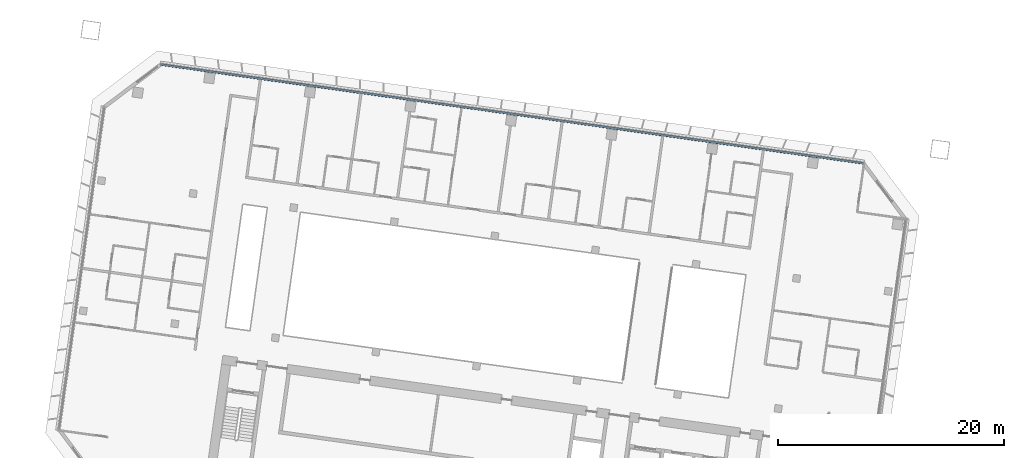
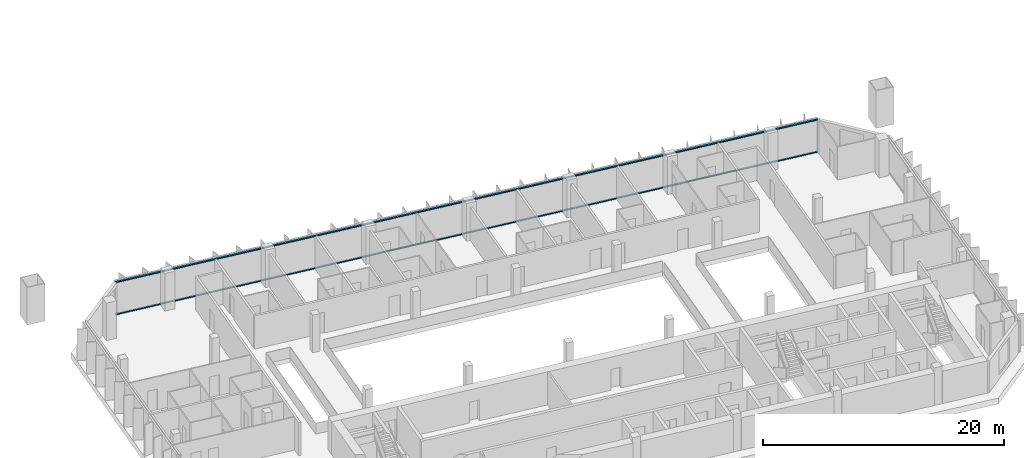
# One storey, part 4 of 24: 2 members, 1 element without a shape of its own.
"""IFC4 building model written with IfcOpenShell, lengths in metres."""

from ifc_helpers import new_model, si_unit, direction, frame, origin, origin_2d, place, context, subcontext, project, spatial, rectangle, extrude, material, material_profile, profile_set, type_object, element, aggregate, save


model = new_model("IFC4")

# Units and contexts
model_context = context("Model", 3, precision=1e-05, world=origin(), true_north=direction((0.0, 1.0)))
body_context = subcontext(model_context, "Body", "Model", "MODEL_VIEW")
ifc_project = project(units=[si_unit("LENGTHUNIT", "METRE"), si_unit("AREAUNIT", "SQUARE_METRE"), si_unit("VOLUMEUNIT", "CUBIC_METRE"), si_unit("PLANEANGLEUNIT", "RADIAN"), si_unit("MASSUNIT", "GRAM", prefix="KILO")], contexts=[model_context])

# Site, building, storey
site_placement = place(None, origin())
site = spatial("IfcSite", under=ifc_project, at=site_placement, CompositionType="ELEMENT")
building_placement = place(site_placement, origin())
building = spatial("IfcBuilding", under=site, at=building_placement, Name="Mirante Cascada Hotel Towers", CompositionType="ELEMENT")
storey_placement = place(building_placement, frame((0.0, 0.0, 110.1)))
storey = spatial("IfcBuildingStorey", under=building, at=storey_placement, Name="L24", CompositionType="ELEMENT", Elevation=110.1)

# Curtain wall, members
ifc_material_1 = material(Name="Aluminium mullion and transom frame with clear laminated glass", Category="aluminium")
curtain_wall_type = type_object("IfcCurtainWallType", Name="Ribbon curtain wall ECW1", PredefinedType="NOTDEFINED", material=ifc_material_1)
curtain_wall_placement = place(storey_placement, origin())
curtain_wall = element("IfcCurtainWall", 1, at=curtain_wall_placement, inside=storey, type_object=curtain_wall_type, Name="Front ribbon wall T1 L24", PredefinedType="NOTDEFINED")
ifc_material_2 = material(Name="Anodised aluminium extrusion", Category="aluminium")
ifc_material_profile = material_profile(ifc_material_2, rectangle(XDim=0.16, YDim=0.1, at=origin_2d()), Name="ECW1 TRANSOM 100x160")
ifc_profile_set = profile_set([ifc_material_profile], Name="Anodised aluminium extrusion")
member_type = type_object("IfcMemberType", Name="ECW1 transom 100x160", PredefinedType="USERDEFINED", material=ifc_profile_set)
member_1_placement = place(storey_placement, frame((-94.1582, 26.0521, 0.05), z_axis=(0.9902681, -0.1391728, 0.0), x_axis=(0.1391728, 0.9902681, 0.0)))
member_1 = element("IfcMember", 2, at=member_1_placement, type_object=member_type, Name="ECW1 sill transom", ObjectType="TRANSOM", PredefinedType="USERDEFINED", context=body_context, shape_type="SweptSolid", body=[
    extrude(rectangle(XDim=0.16, YDim=0.1, at=origin_2d()), origin(), (0.0, 0.0, 1.0), 62.8758),
])
member_2_placement = place(storey_placement, frame((-94.1582, 26.0521, 3.3), z_axis=(0.9902681, -0.1391728, 0.0), x_axis=(0.1391728, 0.9902681, 0.0)))
member_2 = element("IfcMember", 3, at=member_2_placement, type_object=member_type, Name="ECW1 head transom", ObjectType="TRANSOM", PredefinedType="USERDEFINED", context=body_context, shape_type="SweptSolid", body=[
    extrude(rectangle(XDim=0.16, YDim=0.1, at=origin_2d()), origin(), (0.0, 0.0, 1.0), 62.8758),
])
aggregate(curtain_wall, [member_1, member_2])

save(model, "model.ifc")
